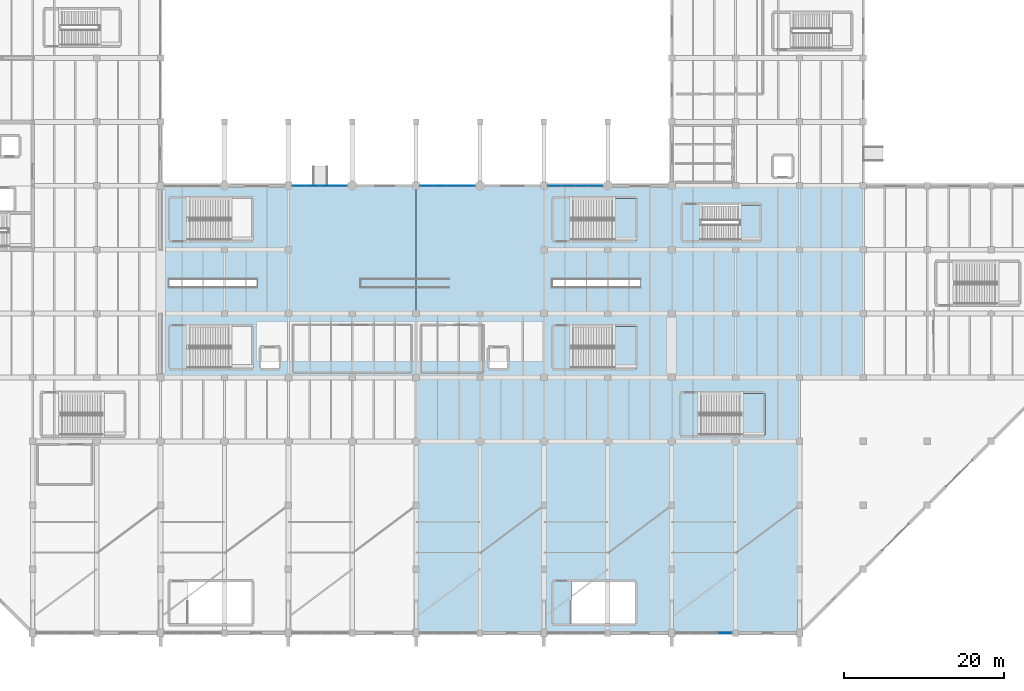
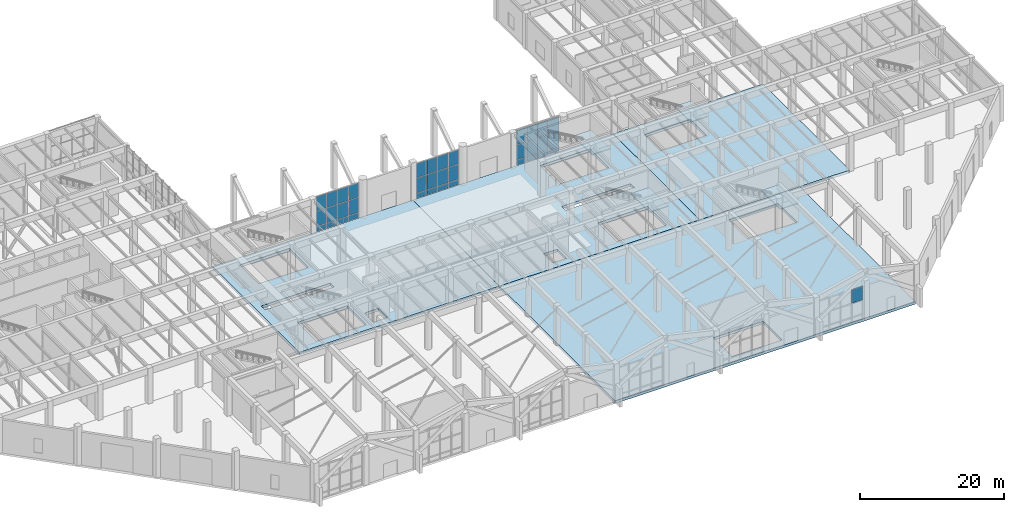
# One storey, part 28 of 51: 37 plates, 8 slabs, 8 elements without a shape of their own.
"""IFC4 building model written with IfcOpenShell, lengths in metres."""

from ifc_helpers import new_model, si_unit, direction, frame, origin, origin_2d, place, context, subcontext, project, spatial, polyline, rectangle, outline, extrude, material, layer, layer_set, type_object, element, aggregate, save


model = new_model("IFC4")

# Units and contexts
model_context = context("Model", 3, precision=1e-05, world=origin(), true_north=direction((0.0, 1.0)))
body_context = subcontext(model_context, "Body", "Model", "MODEL_VIEW")
ifc_project = project(units=[si_unit("LENGTHUNIT", "METRE"), si_unit("AREAUNIT", "SQUARE_METRE"), si_unit("VOLUMEUNIT", "CUBIC_METRE"), si_unit("PLANEANGLEUNIT", "RADIAN"), si_unit("MASSUNIT", "GRAM", prefix="KILO")], contexts=[model_context])

# Site, building, storey
site_placement = place(None, origin())
site = spatial("IfcSite", under=ifc_project, at=site_placement, CompositionType="ELEMENT")
building_placement = place(site_placement, origin())
building = spatial("IfcBuilding", under=site, at=building_placement, Name="Varnela Railside Interchange", CompositionType="ELEMENT")
storey_placement = place(building_placement, origin())
storey = spatial("IfcBuildingStorey", under=building, at=storey_placement, Name="L00", CompositionType="ELEMENT", Elevation=0.0)

# Slabs
ifc_material_1 = material(Name="Concrete C40", Category="concrete")
ifc_layer_1 = layer(ifc_material_1, 0.449951171875)
ifc_layer_set_1 = layer_set([ifc_layer_1], Name="Concrete C40")
slab_type_1 = type_object("IfcSlabType", Name="Bus & Interchange Deck Slab SL-L00", PredefinedType="FLOOR", material=ifc_layer_set_1)
slab_1_placement = place(storey_placement, frame((0.0, 0.0, -0.449951171875)))
element("IfcSlab", 1, at=slab_1_placement, inside=storey, type_object=slab_type_1, Name="Bus & Interchange Deck Slab SL-L00 (L00) (SL-0060)", PredefinedType="FLOOR", context=body_context, shape_type="SweptSolid", body=[
    extrude(outline(polyline([(84.0, 6.0), (132.0, 6.0), (132.0, 38.0), (84.0, 38.0), (84.0, 6.0)]), holes=[polyline([(119.429931640625, 30.800048828125), (127.39990234375, 30.800048828125), (127.39990234375, 36.0), (119.429931640625, 36.0), (119.429931640625, 30.800048828125)]), polyline([(103.429931640625, 7.199951171875), (111.39990234375, 7.199951171875), (111.39990234375, 12.39990234375), (103.429931640625, 12.39990234375), (103.429931640625, 7.199951171875)])]), origin(), (0.0, 0.0, 1.0), 0.449951171875),
])
slab_2_placement = place(storey_placement, frame((0.0, 0.0, -0.449951171875)))
element("IfcSlab", 2, at=slab_2_placement, inside=storey, type_object=slab_type_1, Name="Bus & Interchange Deck Slab SL-L00 (L00) (SL-0053)", PredefinedType="FLOOR", context=body_context, shape_type="SweptSolid", body=[
    extrude(outline(polyline([(52.0, 38.0), (84.0, 38.0), (84.0, 62.0), (52.0, 62.0), (52.0, 38.0)]), holes=[polyline([(55.429931640625, 39.199951171875), (63.39990234375, 39.199951171875), (63.39990234375, 44.39990234375), (55.429931640625, 44.39990234375), (55.429931640625, 39.199951171875)]), polyline([(55.429931640625, 55.199951171875), (63.39990234375, 55.199951171875), (63.39990234375, 60.39990234375), (55.429931640625, 60.39990234375), (55.429931640625, 55.199951171875)]), polyline([(64.60009765625, 39.199951171875), (66.800048828125, 39.199951171875), (66.800048828125, 41.699951171875), (64.60009765625, 41.699951171875), (64.60009765625, 39.199951171875)]), polyline([(53.050048828125, 49.280029296875), (64.080078125, 49.280029296875), (64.080078125, 50.320068359375), (53.050048828125, 50.320068359375), (53.050048828125, 49.280029296875)])]), origin(), (0.0, 0.0, 1.0), 0.449951171875),
])
slab_3_placement = place(storey_placement, frame((0.0, 0.0, -0.449951171875)))
element("IfcSlab", 3, at=slab_3_placement, inside=storey, type_object=slab_type_1, Name="Bus & Interchange Deck Slab SL-L00 (L00) (SL-0054)", PredefinedType="FLOOR", context=body_context, shape_type="SweptSolid", body=[
    extrude(outline(polyline([(84.0, 38.0), (116.0, 38.0), (116.0, 62.0), (84.0, 62.0), (84.0, 38.0)]), holes=[polyline([(103.429931640625, 39.199951171875), (111.39990234375, 39.199951171875), (111.39990234375, 44.39990234375), (103.429931640625, 44.39990234375), (103.429931640625, 39.199951171875)]), polyline([(103.429931640625, 55.199951171875), (111.39990234375, 55.199951171875), (111.39990234375, 60.39990234375), (103.429931640625, 60.39990234375), (103.429931640625, 55.199951171875)]), polyline([(93.199951171875, 39.199951171875), (95.39990234375, 39.199951171875), (95.39990234375, 41.699951171875), (93.199951171875, 41.699951171875), (93.199951171875, 39.199951171875)]), polyline([(101.050048828125, 49.280029296875), (112.080078125, 49.280029296875), (112.080078125, 50.320068359375), (101.050048828125, 50.320068359375), (101.050048828125, 49.280029296875)])]), origin(), (0.0, 0.0, 1.0), 0.449951171875),
])
slab_4_placement = place(storey_placement, frame((0.0, 0.0, -0.449951171875)))
element("IfcSlab", 4, at=slab_4_placement, inside=storey, type_object=slab_type_1, Name="Bus & Interchange Deck Slab SL-L00 (L00) (SL-0056)", PredefinedType="FLOOR", context=body_context, shape_type="SweptSolid", body=[
    extrude(outline(polyline([(116.0, 38.0), (140.0, 38.0), (140.0, 62.0), (116.0, 62.0), (116.0, 38.0)]), holes=[polyline([(119.6298828125, 55.199951171875), (127.0, 55.199951171875), (127.0, 59.60009765625), (119.6298828125, 59.60009765625), (119.6298828125, 55.199951171875)])]), origin(), (0.0, 0.0, 1.0), 0.449951171875),
])

# Curtain wall, plates
ifc_material_2 = material(Name="Aluminium 6063-T6", Category="aluminium")
ifc_layer_2 = layer(ifc_material_2, 0.035888671875)
ifc_layer_set_2 = layer_set([ifc_layer_2], Name="Aluminium 6063-T6")
curtain_wall_type = type_object("IfcCurtainWallType", Name="Arrival Forecourt Portal Curtain Wall CW-04", PredefinedType="USERDEFINED", material=ifc_layer_set_2)
curtain_wall_1_placement = place(storey_placement, origin())
curtain_wall_1 = element("IfcCurtainWall", 5, at=curtain_wall_1_placement, inside=storey, type_object=curtain_wall_type, Name="Curtain Wall CW-04 (L00) (CW-007)", ObjectType="CURTAIN WALL", PredefinedType="USERDEFINED")
ifc_material_3 = material(Name="Glass laminated double", Category="glass")
ifc_layer_3 = layer(ifc_material_3, 0.02001953125)
ifc_layer_set_3 = layer_set([ifc_layer_3], Name="Glass laminated double")
plate_type_1 = type_object("IfcPlateType", Name="Low-E Vision Glazing Panel GL-01", PredefinedType="CURTAIN_PANEL", material=ifc_layer_set_3)
plate_1_placement = place(storey_placement, frame((69.33740234375, 62.0, 0.074951171875), z_axis=(0.0, 0.0, 1.0), x_axis=(1.0, 0.0, 0.0)))
plate_1 = element("IfcPlate", 6, at=plate_1_placement, type_object=plate_type_1, Name="CW-04 panel 1.1", PredefinedType="CURTAIN_PANEL", context=body_context, shape_type="SweptSolid", body=[
    extrude(rectangle(XDim=1.625, YDim=0.02001953125, at=origin_2d()), origin(), (0.0, 0.0, 1.0), 0.78759765625),
])
plate_2_placement = place(storey_placement, frame((69.33740234375, 62.0, 0.9375), z_axis=(0.0, 0.0, 1.0), x_axis=(1.0, 0.0, 0.0)))
plate_2 = element("IfcPlate", 7, at=plate_2_placement, type_object=plate_type_1, Name="CW-04 panel 1.2", PredefinedType="CURTAIN_PANEL", context=body_context, shape_type="SweptSolid", body=[
    extrude(rectangle(XDim=1.625, YDim=0.02001953125, at=origin_2d()), origin(), (0.0, 0.0, 1.0), 2.5166015625),
])
plate_3_placement = place(storey_placement, frame((69.33740234375, 62.0, 3.529052734375), z_axis=(0.0, 0.0, 1.0), x_axis=(1.0, 0.0, 0.0)))
plate_3 = element("IfcPlate", 8, at=plate_3_placement, type_object=plate_type_1, Name="CW-04 panel 1.3", PredefinedType="CURTAIN_PANEL", context=body_context, shape_type="SweptSolid", body=[
    extrude(rectangle(XDim=1.625, YDim=0.02001953125, at=origin_2d()), origin(), (0.0, 0.0, 1.0), 2.416015625),
])
plate_4_placement = place(storey_placement, frame((71.05615234375, 62.0, 0.074951171875), z_axis=(0.0, 0.0, 1.0), x_axis=(1.0, 0.0, 0.0)))
plate_4 = element("IfcPlate", 9, at=plate_4_placement, type_object=plate_type_1, Name="CW-04 panel 2.1", PredefinedType="CURTAIN_PANEL", context=body_context, shape_type="SweptSolid", body=[
    extrude(rectangle(XDim=1.66259765625, YDim=0.02001953125, at=origin_2d()), origin(), (0.0, 0.0, 1.0), 0.78759765625),
])
plate_5_placement = place(storey_placement, frame((71.05615234375, 62.0, 0.9375), z_axis=(0.0, 0.0, 1.0), x_axis=(1.0, 0.0, 0.0)))
plate_5 = element("IfcPlate", 10, at=plate_5_placement, type_object=plate_type_1, Name="CW-04 panel 2.2", PredefinedType="CURTAIN_PANEL", context=body_context, shape_type="SweptSolid", body=[
    extrude(rectangle(XDim=1.66259765625, YDim=0.02001953125, at=origin_2d()), origin(), (0.0, 0.0, 1.0), 2.5166015625),
])
plate_6_placement = place(storey_placement, frame((71.05615234375, 62.0, 3.529052734375), z_axis=(0.0, 0.0, 1.0), x_axis=(1.0, 0.0, 0.0)))
plate_6 = element("IfcPlate", 11, at=plate_6_placement, type_object=plate_type_1, Name="CW-04 panel 2.3", PredefinedType="CURTAIN_PANEL", context=body_context, shape_type="SweptSolid", body=[
    extrude(rectangle(XDim=1.66259765625, YDim=0.02001953125, at=origin_2d()), origin(), (0.0, 0.0, 1.0), 2.416015625),
])
plate_7_placement = place(storey_placement, frame((72.793701171875, 62.0, 0.074951171875), z_axis=(0.0, 0.0, 1.0), x_axis=(1.0, 0.0, 0.0)))
plate_7 = element("IfcPlate", 12, at=plate_7_placement, type_object=plate_type_1, Name="CW-04 panel 3.1", PredefinedType="CURTAIN_PANEL", context=body_context, shape_type="SweptSolid", body=[
    extrude(rectangle(XDim=1.66259765625, YDim=0.02001953125, at=origin_2d()), origin(), (0.0, 0.0, 1.0), 0.78759765625),
])
plate_8_placement = place(storey_placement, frame((72.793701171875, 62.0, 0.9375), z_axis=(0.0, 0.0, 1.0), x_axis=(1.0, 0.0, 0.0)))
plate_8 = element("IfcPlate", 13, at=plate_8_placement, type_object=plate_type_1, Name="CW-04 panel 3.2", PredefinedType="CURTAIN_PANEL", context=body_context, shape_type="SweptSolid", body=[
    extrude(rectangle(XDim=1.66259765625, YDim=0.02001953125, at=origin_2d()), origin(), (0.0, 0.0, 1.0), 2.5166015625),
])
plate_9_placement = place(storey_placement, frame((72.793701171875, 62.0, 3.529052734375), z_axis=(0.0, 0.0, 1.0), x_axis=(1.0, 0.0, 0.0)))
plate_9 = element("IfcPlate", 14, at=plate_9_placement, type_object=plate_type_1, Name="CW-04 panel 3.3", PredefinedType="CURTAIN_PANEL", context=body_context, shape_type="SweptSolid", body=[
    extrude(rectangle(XDim=1.66259765625, YDim=0.02001953125, at=origin_2d()), origin(), (0.0, 0.0, 1.0), 2.416015625),
])
plate_10_placement = place(storey_placement, frame((74.512451171875, 62.0, 0.074951171875), z_axis=(0.0, 0.0, 1.0), x_axis=(1.0, 0.0, 0.0)))
plate_10 = element("IfcPlate", 15, at=plate_10_placement, type_object=plate_type_1, Name="CW-04 panel 4.1", PredefinedType="CURTAIN_PANEL", context=body_context, shape_type="SweptSolid", body=[
    extrude(rectangle(XDim=1.625, YDim=0.02001953125, at=origin_2d()), origin(), (0.0, 0.0, 1.0), 0.78759765625),
])
plate_11_placement = place(storey_placement, frame((74.512451171875, 62.0, 0.9375), z_axis=(0.0, 0.0, 1.0), x_axis=(1.0, 0.0, 0.0)))
plate_11 = element("IfcPlate", 16, at=plate_11_placement, type_object=plate_type_1, Name="CW-04 panel 4.2", PredefinedType="CURTAIN_PANEL", context=body_context, shape_type="SweptSolid", body=[
    extrude(rectangle(XDim=1.625, YDim=0.02001953125, at=origin_2d()), origin(), (0.0, 0.0, 1.0), 2.5166015625),
])
plate_12_placement = place(storey_placement, frame((74.512451171875, 62.0, 3.529052734375), z_axis=(0.0, 0.0, 1.0), x_axis=(1.0, 0.0, 0.0)))
plate_12 = element("IfcPlate", 17, at=plate_12_placement, type_object=plate_type_1, Name="CW-04 panel 4.3", PredefinedType="CURTAIN_PANEL", context=body_context, shape_type="SweptSolid", body=[
    extrude(rectangle(XDim=1.625, YDim=0.02001953125, at=origin_2d()), origin(), (0.0, 0.0, 1.0), 2.416015625),
])
aggregate(curtain_wall_1, [plate_1, plate_2, plate_3, plate_4, plate_5, plate_6, plate_7, plate_8, plate_9, plate_10, plate_11, plate_12])

curtain_wall_2_placement = place(storey_placement, origin())
curtain_wall_2 = element("IfcCurtainWall", 18, at=curtain_wall_2_placement, inside=storey, type_object=curtain_wall_type, Name="Curtain Wall CW-04 (L00) (CW-008)", ObjectType="CURTAIN WALL", PredefinedType="USERDEFINED")
plate_13_placement = place(storey_placement, frame((85.33740234375, 62.0, 0.074951171875), z_axis=(0.0, 0.0, 1.0), x_axis=(1.0, 0.0, 0.0)))
plate_13 = element("IfcPlate", 19, at=plate_13_placement, type_object=plate_type_1, Name="CW-04 panel 1.1", PredefinedType="CURTAIN_PANEL", context=body_context, shape_type="SweptSolid", body=[
    extrude(rectangle(XDim=1.625, YDim=0.02001953125, at=origin_2d()), origin(), (0.0, 0.0, 1.0), 0.78759765625),
])
plate_14_placement = place(storey_placement, frame((85.33740234375, 62.0, 0.9375), z_axis=(0.0, 0.0, 1.0), x_axis=(1.0, 0.0, 0.0)))
plate_14 = element("IfcPlate", 20, at=plate_14_placement, type_object=plate_type_1, Name="CW-04 panel 1.2", PredefinedType="CURTAIN_PANEL", context=body_context, shape_type="SweptSolid", body=[
    extrude(rectangle(XDim=1.625, YDim=0.02001953125, at=origin_2d()), origin(), (0.0, 0.0, 1.0), 2.5166015625),
])
plate_15_placement = place(storey_placement, frame((85.33740234375, 62.0, 3.529052734375), z_axis=(0.0, 0.0, 1.0), x_axis=(1.0, 0.0, 0.0)))
plate_15 = element("IfcPlate", 21, at=plate_15_placement, type_object=plate_type_1, Name="CW-04 panel 1.3", PredefinedType="CURTAIN_PANEL", context=body_context, shape_type="SweptSolid", body=[
    extrude(rectangle(XDim=1.625, YDim=0.02001953125, at=origin_2d()), origin(), (0.0, 0.0, 1.0), 2.416015625),
])
plate_16_placement = place(storey_placement, frame((87.05615234375, 62.0, 0.074951171875), z_axis=(0.0, 0.0, 1.0), x_axis=(1.0, 0.0, 0.0)))
plate_16 = element("IfcPlate", 22, at=plate_16_placement, type_object=plate_type_1, Name="CW-04 panel 2.1", PredefinedType="CURTAIN_PANEL", context=body_context, shape_type="SweptSolid", body=[
    extrude(rectangle(XDim=1.66259765625, YDim=0.02001953125, at=origin_2d()), origin(), (0.0, 0.0, 1.0), 0.78759765625),
])
plate_17_placement = place(storey_placement, frame((87.05615234375, 62.0, 0.9375), z_axis=(0.0, 0.0, 1.0), x_axis=(1.0, 0.0, 0.0)))
plate_17 = element("IfcPlate", 23, at=plate_17_placement, type_object=plate_type_1, Name="CW-04 panel 2.2", PredefinedType="CURTAIN_PANEL", context=body_context, shape_type="SweptSolid", body=[
    extrude(rectangle(XDim=1.66259765625, YDim=0.02001953125, at=origin_2d()), origin(), (0.0, 0.0, 1.0), 2.5166015625),
])
plate_18_placement = place(storey_placement, frame((87.05615234375, 62.0, 3.529052734375), z_axis=(0.0, 0.0, 1.0), x_axis=(1.0, 0.0, 0.0)))
plate_18 = element("IfcPlate", 24, at=plate_18_placement, type_object=plate_type_1, Name="CW-04 panel 2.3", PredefinedType="CURTAIN_PANEL", context=body_context, shape_type="SweptSolid", body=[
    extrude(rectangle(XDim=1.66259765625, YDim=0.02001953125, at=origin_2d()), origin(), (0.0, 0.0, 1.0), 2.416015625),
])
plate_19_placement = place(storey_placement, frame((88.793701171875, 62.0, 0.074951171875), z_axis=(0.0, 0.0, 1.0), x_axis=(1.0, 0.0, 0.0)))
plate_19 = element("IfcPlate", 25, at=plate_19_placement, type_object=plate_type_1, Name="CW-04 panel 3.1", PredefinedType="CURTAIN_PANEL", context=body_context, shape_type="SweptSolid", body=[
    extrude(rectangle(XDim=1.66259765625, YDim=0.02001953125, at=origin_2d()), origin(), (0.0, 0.0, 1.0), 0.78759765625),
])
plate_20_placement = place(storey_placement, frame((88.793701171875, 62.0, 0.9375), z_axis=(0.0, 0.0, 1.0), x_axis=(1.0, 0.0, 0.0)))
plate_20 = element("IfcPlate", 26, at=plate_20_placement, type_object=plate_type_1, Name="CW-04 panel 3.2", PredefinedType="CURTAIN_PANEL", context=body_context, shape_type="SweptSolid", body=[
    extrude(rectangle(XDim=1.66259765625, YDim=0.02001953125, at=origin_2d()), origin(), (0.0, 0.0, 1.0), 2.5166015625),
])
plate_21_placement = place(storey_placement, frame((88.793701171875, 62.0, 3.529052734375), z_axis=(0.0, 0.0, 1.0), x_axis=(1.0, 0.0, 0.0)))
plate_21 = element("IfcPlate", 27, at=plate_21_placement, type_object=plate_type_1, Name="CW-04 panel 3.3", PredefinedType="CURTAIN_PANEL", context=body_context, shape_type="SweptSolid", body=[
    extrude(rectangle(XDim=1.66259765625, YDim=0.02001953125, at=origin_2d()), origin(), (0.0, 0.0, 1.0), 2.416015625),
])
plate_22_placement = place(storey_placement, frame((90.512451171875, 62.0, 0.074951171875), z_axis=(0.0, 0.0, 1.0), x_axis=(1.0, 0.0, 0.0)))
plate_22 = element("IfcPlate", 28, at=plate_22_placement, type_object=plate_type_1, Name="CW-04 panel 4.1", PredefinedType="CURTAIN_PANEL", context=body_context, shape_type="SweptSolid", body=[
    extrude(rectangle(XDim=1.625, YDim=0.02001953125, at=origin_2d()), origin(), (0.0, 0.0, 1.0), 0.78759765625),
])
plate_23_placement = place(storey_placement, frame((90.512451171875, 62.0, 0.9375), z_axis=(0.0, 0.0, 1.0), x_axis=(1.0, 0.0, 0.0)))
plate_23 = element("IfcPlate", 29, at=plate_23_placement, type_object=plate_type_1, Name="CW-04 panel 4.2", PredefinedType="CURTAIN_PANEL", context=body_context, shape_type="SweptSolid", body=[
    extrude(rectangle(XDim=1.625, YDim=0.02001953125, at=origin_2d()), origin(), (0.0, 0.0, 1.0), 2.5166015625),
])
plate_24_placement = place(storey_placement, frame((90.512451171875, 62.0, 3.529052734375), z_axis=(0.0, 0.0, 1.0), x_axis=(1.0, 0.0, 0.0)))
plate_24 = element("IfcPlate", 30, at=plate_24_placement, type_object=plate_type_1, Name="CW-04 panel 4.3", PredefinedType="CURTAIN_PANEL", context=body_context, shape_type="SweptSolid", body=[
    extrude(rectangle(XDim=1.625, YDim=0.02001953125, at=origin_2d()), origin(), (0.0, 0.0, 1.0), 2.416015625),
])
aggregate(curtain_wall_2, [plate_13, plate_14, plate_15, plate_16, plate_17, plate_18, plate_19, plate_20, plate_21, plate_22, plate_23, plate_24])

curtain_wall_3_placement = place(storey_placement, origin())
curtain_wall_3 = element("IfcCurtainWall", 31, at=curtain_wall_3_placement, inside=storey, type_object=curtain_wall_type, Name="Curtain Wall CW-04 (L00) (CW-009)", ObjectType="CURTAIN WALL", PredefinedType="USERDEFINED")
plate_25_placement = place(storey_placement, frame((101.33740234375, 62.0, 0.074951171875), z_axis=(0.0, 0.0, 1.0), x_axis=(1.0, 0.0, 0.0)))
plate_25 = element("IfcPlate", 32, at=plate_25_placement, type_object=plate_type_1, Name="CW-04 panel 1.1", PredefinedType="CURTAIN_PANEL", context=body_context, shape_type="SweptSolid", body=[
    extrude(rectangle(XDim=1.625, YDim=0.02001953125, at=origin_2d()), origin(), (0.0, 0.0, 1.0), 0.78759765625),
])
plate_26_placement = place(storey_placement, frame((101.33740234375, 62.0, 0.9375), z_axis=(0.0, 0.0, 1.0), x_axis=(1.0, 0.0, 0.0)))
plate_26 = element("IfcPlate", 33, at=plate_26_placement, type_object=plate_type_1, Name="CW-04 panel 1.2", PredefinedType="CURTAIN_PANEL", context=body_context, shape_type="SweptSolid", body=[
    extrude(rectangle(XDim=1.625, YDim=0.02001953125, at=origin_2d()), origin(), (0.0, 0.0, 1.0), 2.5166015625),
])
plate_27_placement = place(storey_placement, frame((101.33740234375, 62.0, 3.529052734375), z_axis=(0.0, 0.0, 1.0), x_axis=(1.0, 0.0, 0.0)))
plate_27 = element("IfcPlate", 34, at=plate_27_placement, type_object=plate_type_1, Name="CW-04 panel 1.3", PredefinedType="CURTAIN_PANEL", context=body_context, shape_type="SweptSolid", body=[
    extrude(rectangle(XDim=1.625, YDim=0.02001953125, at=origin_2d()), origin(), (0.0, 0.0, 1.0), 2.416015625),
])
plate_28_placement = place(storey_placement, frame((103.05615234375, 62.0, 0.074951171875), z_axis=(0.0, 0.0, 1.0), x_axis=(1.0, 0.0, 0.0)))
plate_28 = element("IfcPlate", 35, at=plate_28_placement, type_object=plate_type_1, Name="CW-04 panel 2.1", PredefinedType="CURTAIN_PANEL", context=body_context, shape_type="SweptSolid", body=[
    extrude(rectangle(XDim=1.66259765625, YDim=0.02001953125, at=origin_2d()), origin(), (0.0, 0.0, 1.0), 0.78759765625),
])
plate_29_placement = place(storey_placement, frame((103.05615234375, 62.0, 0.9375), z_axis=(0.0, 0.0, 1.0), x_axis=(1.0, 0.0, 0.0)))
plate_29 = element("IfcPlate", 36, at=plate_29_placement, type_object=plate_type_1, Name="CW-04 panel 2.2", PredefinedType="CURTAIN_PANEL", context=body_context, shape_type="SweptSolid", body=[
    extrude(rectangle(XDim=1.66259765625, YDim=0.02001953125, at=origin_2d()), origin(), (0.0, 0.0, 1.0), 2.5166015625),
])
plate_30_placement = place(storey_placement, frame((103.05615234375, 62.0, 3.529052734375), z_axis=(0.0, 0.0, 1.0), x_axis=(1.0, 0.0, 0.0)))
plate_30 = element("IfcPlate", 37, at=plate_30_placement, type_object=plate_type_1, Name="CW-04 panel 2.3", PredefinedType="CURTAIN_PANEL", context=body_context, shape_type="SweptSolid", body=[
    extrude(rectangle(XDim=1.66259765625, YDim=0.02001953125, at=origin_2d()), origin(), (0.0, 0.0, 1.0), 2.416015625),
])
plate_31_placement = place(storey_placement, frame((104.793701171875, 62.0, 0.074951171875), z_axis=(0.0, 0.0, 1.0), x_axis=(1.0, 0.0, 0.0)))
plate_31 = element("IfcPlate", 38, at=plate_31_placement, type_object=plate_type_1, Name="CW-04 panel 3.1", PredefinedType="CURTAIN_PANEL", context=body_context, shape_type="SweptSolid", body=[
    extrude(rectangle(XDim=1.66259765625, YDim=0.02001953125, at=origin_2d()), origin(), (0.0, 0.0, 1.0), 0.78759765625),
])
plate_32_placement = place(storey_placement, frame((104.793701171875, 62.0, 0.9375), z_axis=(0.0, 0.0, 1.0), x_axis=(1.0, 0.0, 0.0)))
plate_32 = element("IfcPlate", 39, at=plate_32_placement, type_object=plate_type_1, Name="CW-04 panel 3.2", PredefinedType="CURTAIN_PANEL", context=body_context, shape_type="SweptSolid", body=[
    extrude(rectangle(XDim=1.66259765625, YDim=0.02001953125, at=origin_2d()), origin(), (0.0, 0.0, 1.0), 2.5166015625),
])
plate_33_placement = place(storey_placement, frame((104.793701171875, 62.0, 3.529052734375), z_axis=(0.0, 0.0, 1.0), x_axis=(1.0, 0.0, 0.0)))
plate_33 = element("IfcPlate", 40, at=plate_33_placement, type_object=plate_type_1, Name="CW-04 panel 3.3", PredefinedType="CURTAIN_PANEL", context=body_context, shape_type="SweptSolid", body=[
    extrude(rectangle(XDim=1.66259765625, YDim=0.02001953125, at=origin_2d()), origin(), (0.0, 0.0, 1.0), 2.416015625),
])
plate_34_placement = place(storey_placement, frame((106.512451171875, 62.0, 0.074951171875), z_axis=(0.0, 0.0, 1.0), x_axis=(1.0, 0.0, 0.0)))
plate_34 = element("IfcPlate", 41, at=plate_34_placement, type_object=plate_type_1, Name="CW-04 panel 4.1", PredefinedType="CURTAIN_PANEL", context=body_context, shape_type="SweptSolid", body=[
    extrude(rectangle(XDim=1.625, YDim=0.02001953125, at=origin_2d()), origin(), (0.0, 0.0, 1.0), 0.78759765625),
])
plate_35_placement = place(storey_placement, frame((106.512451171875, 62.0, 0.9375), z_axis=(0.0, 0.0, 1.0), x_axis=(1.0, 0.0, 0.0)))
plate_35 = element("IfcPlate", 42, at=plate_35_placement, type_object=plate_type_1, Name="CW-04 panel 4.2", PredefinedType="CURTAIN_PANEL", context=body_context, shape_type="SweptSolid", body=[
    extrude(rectangle(XDim=1.625, YDim=0.02001953125, at=origin_2d()), origin(), (0.0, 0.0, 1.0), 2.5166015625),
])
plate_36_placement = place(storey_placement, frame((106.512451171875, 62.0, 3.529052734375), z_axis=(0.0, 0.0, 1.0), x_axis=(1.0, 0.0, 0.0)))
plate_36 = element("IfcPlate", 43, at=plate_36_placement, type_object=plate_type_1, Name="CW-04 panel 4.3", PredefinedType="CURTAIN_PANEL", context=body_context, shape_type="SweptSolid", body=[
    extrude(rectangle(XDim=1.625, YDim=0.02001953125, at=origin_2d()), origin(), (0.0, 0.0, 1.0), 2.416015625),
])
aggregate(curtain_wall_3, [plate_25, plate_26, plate_27, plate_28, plate_29, plate_30, plate_31, plate_32, plate_33, plate_34, plate_35, plate_36])

# Curtain wall, plate
curtain_wall_4_placement = place(storey_placement, origin())
curtain_wall_4 = element("IfcCurtainWall", 44, at=curtain_wall_4_placement, inside=storey, type_object=curtain_wall_type, Name="Curtain Wall CW-04 (L00) (CW-011)", ObjectType="CURTAIN WALL", PredefinedType="USERDEFINED")
ifc_layer_4 = layer(ifc_material_3, 0.070068359375)
ifc_layer_set_4 = layer_set([ifc_layer_4], Name="Glass laminated double")
plate_type_2 = type_object("IfcPlateType", Name="Solar Control Spandrel Panel GL-02", PredefinedType="CURTAIN_PANEL", material=ifc_layer_set_4)
plate_37_placement = place(storey_placement, frame((122.68115234375, 6.0, 3.28564453125), z_axis=(0.0, 0.0, 1.0), x_axis=(-1.0, 0.0, 0.0)))
plate_37 = element("IfcPlate", 45, at=plate_37_placement, type_object=plate_type_2, Name="CW-04 panel 1.3", PredefinedType="CURTAIN_PANEL", context=body_context, shape_type="SweptSolid", body=[
    extrude(rectangle(XDim=1.6875, YDim=0.070068359375, at=origin_2d()), origin(), (0.0, 0.0, 1.0), 2.239501953125),
])
aggregate(curtain_wall_4, [plate_37])

# Stair, slab
stair_type_1 = type_object("IfcStairType", Name="Study Pavilion Stair ST-180", PredefinedType="TWO_STRAIGHT_RUN_STAIR", material=ifc_material_1)
stair_1_placement = place(storey_placement, origin())
stair_1 = element("IfcStair", 46, at=stair_1_placement, inside=storey, type_object=stair_type_1, Name="Stair ST-E1 (L00) (SF-097)", PredefinedType="TWO_STRAIGHT_RUN_STAIR")
ifc_layer_5 = layer(ifc_material_1, 0.159912109375)
ifc_layer_set_5 = layer_set([ifc_layer_5], Name="Concrete C40")
slab_type_2 = type_object("IfcSlabType", Name="Stair Half-Landing Slab SL-LD", PredefinedType="LANDING", material=ifc_layer_set_5)
slab_5_placement = place(storey_placement, frame((0.0, 0.0, 2.989990234375)))
slab_5 = element("IfcSlab", 47, at=slab_5_placement, type_object=slab_type_2, Name="ST-E1 landing 1 (SL-0068)", PredefinedType="LANDING", context=body_context, shape_type="SweptSolid", body=[
    extrude(outline(polyline([(124.5, 55.199951171875), (127.260009765625, 55.199951171875), (127.260009765625, 59.60009765625), (124.5, 59.60009765625), (124.5, 55.199951171875)])), origin(), (0.0, 0.0, 1.0), 0.159912109375),
])
aggregate(stair_1, [slab_5])

stair_type_2 = type_object("IfcStairType", Name="Concourse Public Stair ST-235", PredefinedType="TWO_STRAIGHT_RUN_STAIR", material=ifc_material_1)
stair_2_placement = place(storey_placement, origin())
stair_2 = element("IfcStair", 48, at=stair_2_placement, inside=storey, type_object=stair_type_2, Name="Stair ST-C2 (L00) (SF-088)", PredefinedType="TWO_STRAIGHT_RUN_STAIR")
slab_6_placement = place(storey_placement, frame((0.0, 0.0, 2.989990234375)))
slab_6 = element("IfcSlab", 49, at=slab_6_placement, type_object=slab_type_2, Name="ST-C2 landing 1 (SL-0065)", PredefinedType="LANDING", context=body_context, shape_type="SweptSolid", body=[
    extrude(outline(polyline([(108.72509765625, 39.199951171875), (111.659912109375, 39.199951171875), (111.659912109375, 44.39990234375), (108.72509765625, 44.39990234375), (108.72509765625, 39.199951171875)])), origin(), (0.0, 0.0, 1.0), 0.159912109375),
])
aggregate(stair_2, [slab_6])

stair_3_placement = place(storey_placement, origin())
stair_3 = element("IfcStair", 50, at=stair_3_placement, inside=storey, type_object=stair_type_2, Name="Stair ST-C4 (L00) (SF-094)", PredefinedType="TWO_STRAIGHT_RUN_STAIR")
slab_7_placement = place(storey_placement, frame((0.0, 0.0, 2.989990234375)))
slab_7 = element("IfcSlab", 51, at=slab_7_placement, type_object=slab_type_2, Name="ST-C4 landing 1 (SL-0067)", PredefinedType="LANDING", context=body_context, shape_type="SweptSolid", body=[
    extrude(outline(polyline([(108.72509765625, 55.199951171875), (111.659912109375, 55.199951171875), (111.659912109375, 60.39990234375), (108.72509765625, 60.39990234375), (108.72509765625, 55.199951171875)])), origin(), (0.0, 0.0, 1.0), 0.159912109375),
])
aggregate(stair_3, [slab_7])

stair_4_placement = place(storey_placement, origin())
stair_4 = element("IfcStair", 52, at=stair_4_placement, inside=storey, type_object=stair_type_2, Name="Stair ST-M2 (L00) (SF-109)", PredefinedType="TWO_STRAIGHT_RUN_STAIR")
slab_8_placement = place(storey_placement, frame((0.0, 0.0, 2.989990234375)))
slab_8 = element("IfcSlab", 53, at=slab_8_placement, type_object=slab_type_2, Name="ST-M2 landing 1 (SL-0072)", PredefinedType="LANDING", context=body_context, shape_type="SweptSolid", body=[
    extrude(outline(polyline([(124.72509765625, 30.800048828125), (127.659912109375, 30.800048828125), (127.659912109375, 36.0), (124.72509765625, 36.0), (124.72509765625, 30.800048828125)])), origin(), (0.0, 0.0, 1.0), 0.159912109375),
])
aggregate(stair_4, [slab_8])

save(model, "model.ifc")
